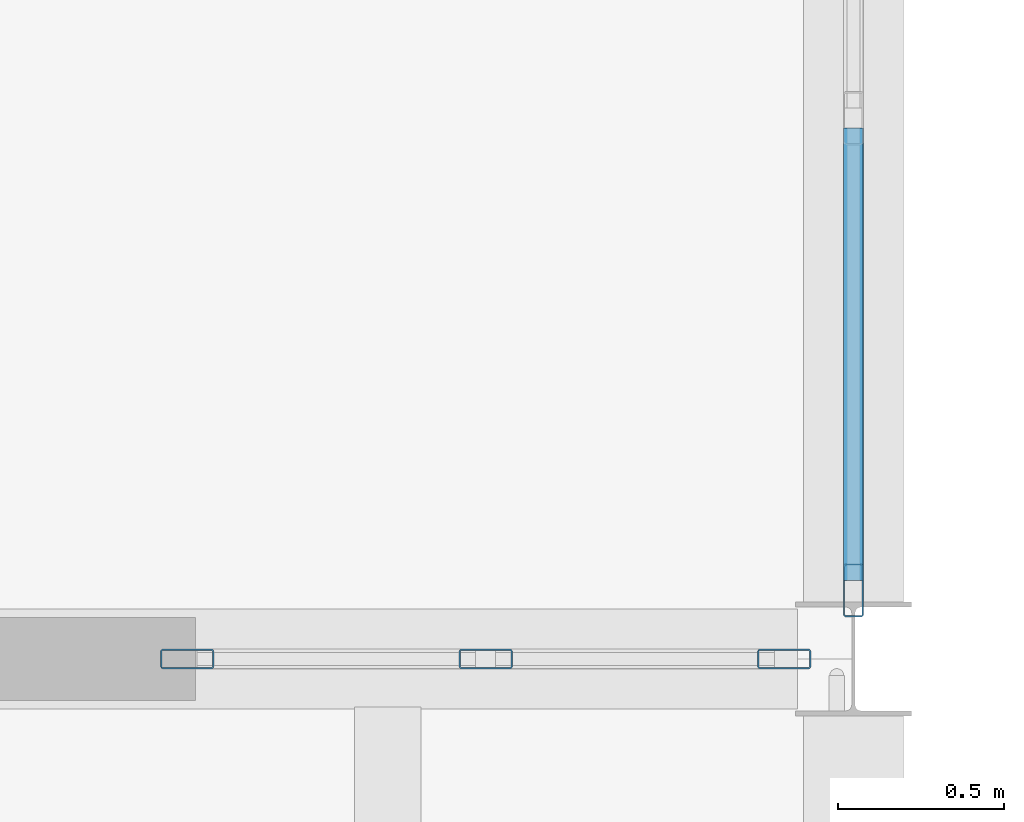
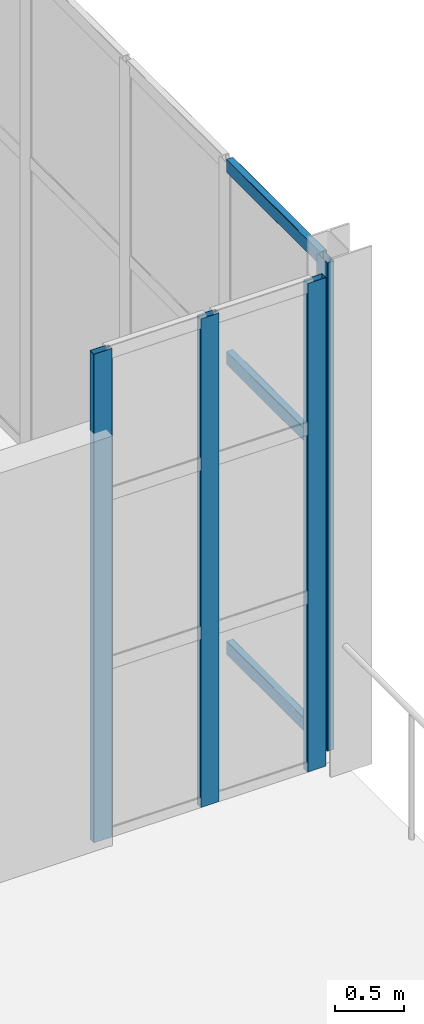
# One storey, part 8 of 74: 7 members, 2 elements without a shape of their own.
"""IFC4 building model written with IfcOpenShell, lengths in metres."""

import ifcopenshell
import ifcopenshell.guid

model = None  # the IFC model being written
_history = None  # IfcOwnerHistory: only IFC2X3 demands one
_inside = {}  # id of a spatial element -> (the spatial element, [elements in it])
_under = {}  # id of a project, library or spatial element -> (it, [spatial elements below it])
_declared = {}  # id of a project -> (the project, [libraries it declares])
_typed = {}  # id of a type object -> (the type object, [elements of that type])
_made_of = {}  # id of a material, layer set ... -> (it, [elements and type objects made of it])


def new_model(schema):
    """Start an empty IFC model of exactly this schema.

    Asked for "IFC4X3", IfcOpenShell would pick the latest addendum, in which some entities
    have other attributes; the version numbers below select the first issue.
    IFC2X3 requires an IfcOwnerHistory on every rooted entity: one is made here for all.
    """
    global model, _history
    if schema == "IFC4X3":
        model = ifcopenshell.file(schema_version=(4, 3, 0, 0))
    else:
        model = ifcopenshell.file(schema=schema)
    _inside.clear()
    _under.clear()
    _declared.clear()
    _typed.clear()
    _made_of.clear()
    _history = None
    if model.schema == "IFC2X3":
        org = make("IfcOrganization", Name="unknown")
        user = make(
            "IfcPersonAndOrganization",
            ThePerson=make("IfcPerson", FamilyName="unknown"),
            TheOrganization=org,
        )
        app = make(
            "IfcApplication",
            ApplicationDeveloper=org,
            Version="unknown",
            ApplicationFullName="unknown",
            ApplicationIdentifier="unknown",
        )
        _history = make(
            "IfcOwnerHistory",
            OwningUser=user,
            OwningApplication=app,
            ChangeAction="ADDED",
            CreationDate=0,
        )
    return model


def make(cls, **values):
    """One entity of the class cls with the attributes given. An attribute that is None is left unset."""
    return model.create_entity(
        cls, **{name: value for name, value in values.items() if value is not None}
    )


def rooted(cls, **values):
    """An entity with a GlobalId (a new one), such as an element, a storey or a relation."""
    return make(cls, GlobalId=ifcopenshell.guid.new(), OwnerHistory=_history, **values)


def si_unit(unit_type, name, prefix=None):
    """IfcSIUnit, for example si_unit("LENGTHUNIT", "METRE", prefix="MILLI")."""
    return make("IfcSIUnit", UnitType=unit_type, Prefix=prefix, Name=name)


def assignment(units):
    """IfcUnitAssignment: the units of a project."""
    return None if units is None else make("IfcUnitAssignment", Units=units)


def point(xyz):
    """IfcCartesianPoint."""
    return None if xyz is None else make("IfcCartesianPoint", Coordinates=xyz)


def direction(xyz):
    """IfcDirection."""
    return None if xyz is None else make("IfcDirection", DirectionRatios=xyz)


def frame(location, z_axis=None, x_axis=None):
    """IfcAxis2Placement3D, a coordinate frame: its origin and axes. An axis left out is left unset."""
    return make(
        "IfcAxis2Placement3D",
        Location=point(location),
        Axis=direction(z_axis),
        RefDirection=direction(x_axis),
    )


def frame_2d(location, x_axis=None):
    """IfcAxis2Placement2D, a coordinate frame in the plane: its origin and x axis."""
    return make(
        "IfcAxis2Placement2D", Location=point(location), RefDirection=direction(x_axis)
    )


def origin():
    """The frame at (0, 0, 0) with its axes left unset."""
    return frame((0.0, 0.0, 0.0))


def origin_2d():
    """The frame at (0, 0) in the plane with its x axis left unset."""
    return frame_2d((0.0, 0.0))


def place(relative_to, where):
    """IfcLocalPlacement: puts the frame where relative to a parent placement (None: the world)."""
    return make(
        "IfcLocalPlacement", PlacementRelTo=relative_to, RelativePlacement=where
    )


def context(
    kind, dimensions, precision=None, world=None, true_north=None, identifier=None
):
    """IfcGeometricRepresentationContext, for example the 3D "Model" context."""
    return make(
        "IfcGeometricRepresentationContext",
        ContextIdentifier=identifier,
        ContextType=kind,
        CoordinateSpaceDimension=dimensions,
        Precision=precision,
        WorldCoordinateSystem=world,
        TrueNorth=true_north,
    )


def subcontext(parent, identifier, kind, view, scale=None):
    """IfcGeometricRepresentationSubContext, for example "Body" below "Model"."""
    return make(
        "IfcGeometricRepresentationSubContext",
        ContextIdentifier=identifier,
        ContextType=kind,
        ParentContext=parent,
        TargetScale=scale,
        TargetView=view,
    )


def project(units=None, contexts=None):
    """IfcProject with its units and contexts."""
    return rooted(
        "IfcProject",
        Name="project",
        RepresentationContexts=contexts,
        UnitsInContext=assignment(units),
    )


def spatial(cls, under=None, at=None, **own):
    """A site, building, storey or space (cls), placed at a placement, below another one or the project."""
    s = rooted(cls, ObjectPlacement=at, **own)
    if under is not None:
        _under.setdefault(under.id(), (under, []))[1].append(s)
    return s


def profile(cls, at=None, kind="AREA", **sizes):
    """A parametric profile (cls). Its sizes go by their IFC names, for example OverallWidth=200.0."""
    return make(cls, ProfileType=kind, Position=at, **sizes)


def hollow_rectangle(**sizes):
    """IfcRectangleHollowProfileDef."""
    return profile("IfcRectangleHollowProfileDef", **sizes)


def extrude(swept, where, along, depth):
    """IfcExtrudedAreaSolid: the profile swept, set in the frame where, extruded along a direction by depth."""
    return make(
        "IfcExtrudedAreaSolid",
        SweptArea=swept,
        Position=where,
        ExtrudedDirection=direction(along),
        Depth=depth,
    )


def shape(context_of_items, identifier, shape_type, items):
    """IfcShapeRepresentation: the items that make up one representation, for example the "Body"."""
    return make(
        "IfcShapeRepresentation",
        ContextOfItems=context_of_items,
        RepresentationIdentifier=identifier,
        RepresentationType=shape_type,
        Items=items,
    )


def material(Name=None, Category=None):
    """IfcMaterial."""
    return make("IfcMaterial", Name=Name, Category=Category)


def material_profile(
    of_material, cross_section, Name=None, Category=None, Priority=None
):
    """IfcMaterialProfile: a cross section and its material."""
    return make(
        "IfcMaterialProfile",
        Name=Name,
        Material=of_material,
        Profile=cross_section,
        Priority=Priority,
        Category=Category,
    )


def profile_set(profiles, Name=None, composite=None):
    """IfcMaterialProfileSet."""
    return make(
        "IfcMaterialProfileSet",
        Name=Name,
        MaterialProfiles=profiles,
        CompositeProfile=composite,
    )


def made_of(thing, what):
    """Note that an element or type object is made of a material, layer set ...; save() writes the relation."""
    if what is not None:
        _made_of.setdefault(what.id(), (what, []))[1].append(thing)
    return thing


def type_object(cls, material=None, **own):
    """A type object (cls), such as IfcWallType, which elements share."""
    return made_of(rooted(cls, **own), material)


def element(
    cls,
    number,
    at=None,
    inside=None,
    cuts=None,
    type_object=None,
    material=None,
    context=None,
    identifier="Body",
    shape_type=None,
    held_by="IfcProductDefinitionShape",
    body=None,
    shapes=None,
    **own,
):
    """One element of the class cls, such as IfcWall. Its Tag is "e" and its number.

    at: its placement. inside: the storey or other place that contains it. cuts: it is an
    opening in that element (IfcRelVoidsElement). A single representation is given by context,
    identifier, shape_type and body (its items); several are given by shapes. held_by: the class
    of the entity that holds the representations. save() writes the other relations.
    """
    e = rooted(cls, Tag="e%d" % number, ObjectPlacement=at, **own)
    if body is not None:
        shapes = [shape(context, identifier, shape_type, body)]
    if shapes is not None:
        e.Representation = make(held_by, Representations=shapes)
    if inside is not None:
        _inside.setdefault(inside.id(), (inside, []))[1].append(e)
    if cuts is not None:
        rooted(
            "IfcRelVoidsElement", RelatingBuildingElement=cuts, RelatedOpeningElement=e
        )
    if type_object is not None:
        _typed.setdefault(type_object.id(), (type_object, []))[1].append(e)
    return made_of(e, material)


def aggregate(whole, parts):
    """IfcRelAggregates: a whole, such as a stair, and the parts it consists of."""
    return rooted("IfcRelAggregates", RelatingObject=whole, RelatedObjects=parts)


def save(model, path):
    """Write the relations noted so far, then the file.

    IfcRelAggregates (storeys below a building ...), IfcRelContainedInSpatialStructure (elements
    in a storey), IfcRelDefinesByType, IfcRelAssociatesMaterial and IfcRelDeclares: one each for
    every whole, place, type object, material and project.
    """
    for whole, parts in _under.values():
        aggregate(whole, parts)
    for where, things in _inside.values():
        rooted(
            "IfcRelContainedInSpatialStructure",
            RelatedElements=things,
            RelatingStructure=where,
        )
    for kind, things in _typed.values():
        rooted("IfcRelDefinesByType", RelatedObjects=things, RelatingType=kind)
    for what, things in _made_of.values():
        rooted("IfcRelAssociatesMaterial", RelatedObjects=things, RelatingMaterial=what)
    for by, libraries in _declared.values():
        rooted("IfcRelDeclares", RelatingContext=by, RelatedDefinitions=libraries)
    model.write(path)


model = new_model("IFC4")

# Units and contexts
model_context = context("Model", 3, precision=1e-05, world=origin(), true_north=direction((0.0, 1.0)))
body_context = subcontext(model_context, "Body", "Model", "MODEL_VIEW")
ifc_project = project(units=[si_unit("LENGTHUNIT", "METRE"), si_unit("AREAUNIT", "SQUARE_METRE"), si_unit("VOLUMEUNIT", "CUBIC_METRE"), si_unit("PLANEANGLEUNIT", "RADIAN"), si_unit("MASSUNIT", "GRAM", prefix="KILO")], contexts=[model_context])

# Site, building, storey
site_placement = place(None, origin())
site = spatial("IfcSite", under=ifc_project, at=site_placement, CompositionType="ELEMENT")
building_placement = place(site_placement, origin())
building = spatial("IfcBuilding", under=site, at=building_placement, Name="Shengluoqiao Park Theatre", CompositionType="ELEMENT")
storey_placement = place(building_placement, frame((0.0, 0.0, 14.60009765625)))
storey = spatial("IfcBuildingStorey", under=building, at=storey_placement, Name="L03", CompositionType="ELEMENT", Elevation=14.60009765625)

# Curtain wall, members
ifc_material = material(Name="Aluminium 6063-T6", Category="aluminium")
curtain_wall_type_1 = type_object("IfcCurtainWallType", Name="ENV-CW-STUDIO", PredefinedType="NOTDEFINED", material=ifc_material)
curtain_wall_1_placement = place(storey_placement, origin())
curtain_wall_1 = element("IfcCurtainWall", 1, at=curtain_wall_1_placement, inside=storey, type_object=curtain_wall_type_1, Name="L03 Curtain Wall CWX-L03-0032", PredefinedType="NOTDEFINED")
ifc_material_profile_1 = material_profile(ifc_material, hollow_rectangle(XDim=0.06005859375, YDim=0.159912109375, WallThickness=0.00390625, InnerFilletRadius=0.00390625, OuterFilletRadius=0.008056640625, at=origin_2d()), Name="ALU MULLION 160x60x4")
ifc_profile_set_1 = profile_set([ifc_material_profile_1], Name="Aluminium 6063-T6")
member_type_1 = type_object("IfcMemberType", Name="ENV-MUL-160", PredefinedType="MULLION", material=ifc_profile_set_1)
member_1_placement = place(storey_placement, frame((33.9970703125, 30.39990234375, 0.0), z_axis=(0.0, 0.0, 1.0), x_axis=(0.0, 1.0, 0.0)))
member_1 = element("IfcMember", 2, at=member_1_placement, type_object=member_type_1, Name="CW-02 mullion 1", PredefinedType="MULLION", context=body_context, shape_type="SweptSolid", body=[
    extrude(hollow_rectangle(XDim=0.06005859375, YDim=0.159912109375, WallThickness=0.00390625, InnerFilletRadius=0.00390625, OuterFilletRadius=0.008056640625, at=origin_2d()), origin(), (0.0, 0.0, 1.0), 4.33984375),
])
member_2_placement = place(storey_placement, frame((34.89453125, 30.39990234375, 0.0), z_axis=(0.0, 0.0, 1.0), x_axis=(0.0, 1.0, 0.0)))
member_2 = element("IfcMember", 3, at=member_2_placement, type_object=member_type_1, Name="CW-02 mullion 2", PredefinedType="MULLION", context=body_context, shape_type="SweptSolid", body=[
    extrude(hollow_rectangle(XDim=0.06005859375, YDim=0.159912109375, WallThickness=0.00390625, InnerFilletRadius=0.00390625, OuterFilletRadius=0.008056640625, at=origin_2d()), origin(), (0.0, 0.0, 1.0), 4.33984375),
])
member_3_placement = place(storey_placement, frame((35.7919921875, 30.39990234375, 0.0), z_axis=(0.0, 0.0, 1.0), x_axis=(0.0, 1.0, 0.0)))
member_3 = element("IfcMember", 4, at=member_3_placement, type_object=member_type_1, Name="CW-02 mullion 3", PredefinedType="MULLION", context=body_context, shape_type="SweptSolid", body=[
    extrude(hollow_rectangle(XDim=0.06005859375, YDim=0.159912109375, WallThickness=0.00390625, InnerFilletRadius=0.00390625, OuterFilletRadius=0.008056640625, at=origin_2d()), origin(), (0.0, 0.0, 1.0), 4.33984375),
])
aggregate(curtain_wall_1, [member_1, member_2, member_3])

curtain_wall_type_2 = type_object("IfcCurtainWallType", Name="ENV-CW-COURT", PredefinedType="NOTDEFINED", material=ifc_material)
curtain_wall_2_placement = place(storey_placement, origin())
curtain_wall_2 = element("IfcCurtainWall", 5, at=curtain_wall_2_placement, inside=storey, type_object=curtain_wall_type_2, Name="L03 Curtain Wall CWX-L03-0033", PredefinedType="NOTDEFINED")
member_4_placement = place(storey_placement, frame((36.0, 30.60595703125, 0.0), z_axis=(0.0, 0.0, 1.0), x_axis=(-1.0, 0.0, 0.0)))
member_4 = element("IfcMember", 6, at=member_4_placement, type_object=member_type_1, Name="CW-05 mullion 1", PredefinedType="MULLION", context=body_context, shape_type="SweptSolid", body=[
    extrude(hollow_rectangle(XDim=0.06005859375, YDim=0.159912109375, WallThickness=0.00390625, InnerFilletRadius=0.00390625, OuterFilletRadius=0.008056640625, at=origin_2d()), origin(), (0.0, 0.0, 1.0), 4.33984375),
])
ifc_material_profile_2 = material_profile(ifc_material, hollow_rectangle(XDim=0.06005859375, YDim=0.1201171875, WallThickness=0.00390625, InnerFilletRadius=0.00390625, OuterFilletRadius=0.008056640625, at=origin_2d()), Name="ALU TRANSOM 120x60x4")
ifc_profile_set_2 = profile_set([ifc_material_profile_2], Name="Aluminium 6063-T6")
member_type_2 = type_object("IfcMemberType", Name="ENV-TRN-120", PredefinedType="USERDEFINED", material=ifc_profile_set_2)
member_5_placement = place(storey_placement, frame((36.0, 30.635986328125, 0.02978515625), z_axis=(0.0, 1.0, 0.0), x_axis=(-1.0, 0.0, 0.0)))
member_5 = element("IfcMember", 7, at=member_5_placement, type_object=member_type_2, Name="CW-05 transom 1.1", ObjectType="TRANSOM", PredefinedType="USERDEFINED", context=body_context, shape_type="SweptSolid", body=[
    extrude(hollow_rectangle(XDim=0.06005859375, YDim=0.1201171875, WallThickness=0.00390625, InnerFilletRadius=0.00390625, OuterFilletRadius=0.008056640625, at=origin_2d()), origin(), (0.0, 0.0, 1.0), 1.359619140625),
])
member_6_placement = place(storey_placement, frame((36.0, 30.635986328125, 2.60400390625), z_axis=(0.0, 1.0, 0.0), x_axis=(-1.0, 0.0, 0.0)))
member_6 = element("IfcMember", 8, at=member_6_placement, type_object=member_type_2, Name="CW-05 transom 1.2", ObjectType="TRANSOM", PredefinedType="USERDEFINED", context=body_context, shape_type="SweptSolid", body=[
    extrude(hollow_rectangle(XDim=0.06005859375, YDim=0.1201171875, WallThickness=0.00390625, InnerFilletRadius=0.00390625, OuterFilletRadius=0.008056640625, at=origin_2d()), origin(), (0.0, 0.0, 1.0), 1.359619140625),
])
member_7_placement = place(storey_placement, frame((36.0, 30.635986328125, 4.309814453125), z_axis=(0.0, 1.0, 0.0), x_axis=(-1.0, 0.0, 0.0)))
member_7 = element("IfcMember", 9, at=member_7_placement, type_object=member_type_2, Name="CW-05 transom 1.3", ObjectType="TRANSOM", PredefinedType="USERDEFINED", context=body_context, shape_type="SweptSolid", body=[
    extrude(hollow_rectangle(XDim=0.06005859375, YDim=0.1201171875, WallThickness=0.00390625, InnerFilletRadius=0.00390625, OuterFilletRadius=0.008056640625, at=origin_2d()), origin(), (0.0, 0.0, 1.0), 1.359619140625),
])
aggregate(curtain_wall_2, [member_4, member_5, member_6, member_7])

save(model, "model.ifc")
